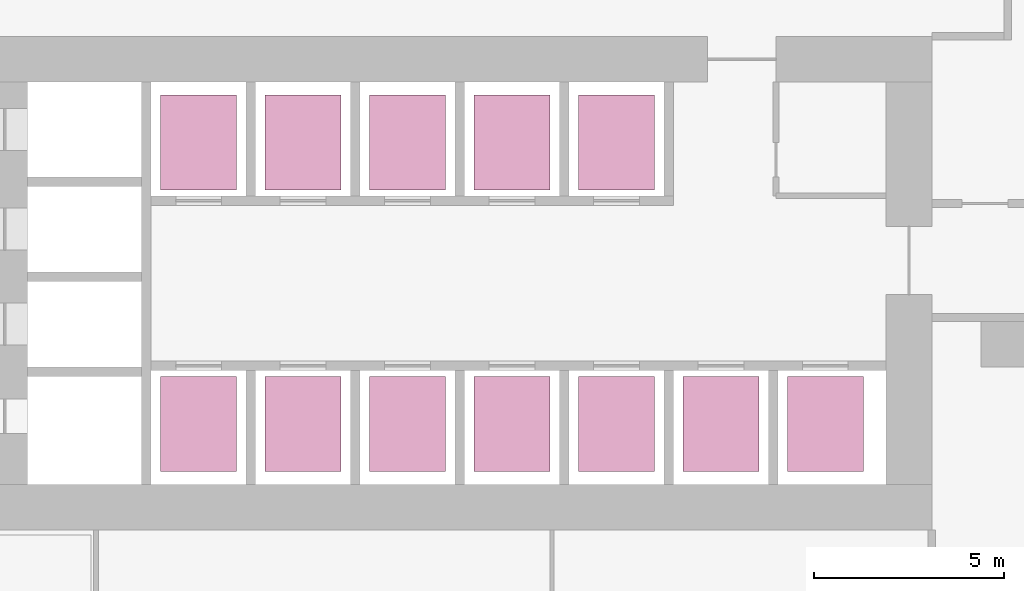
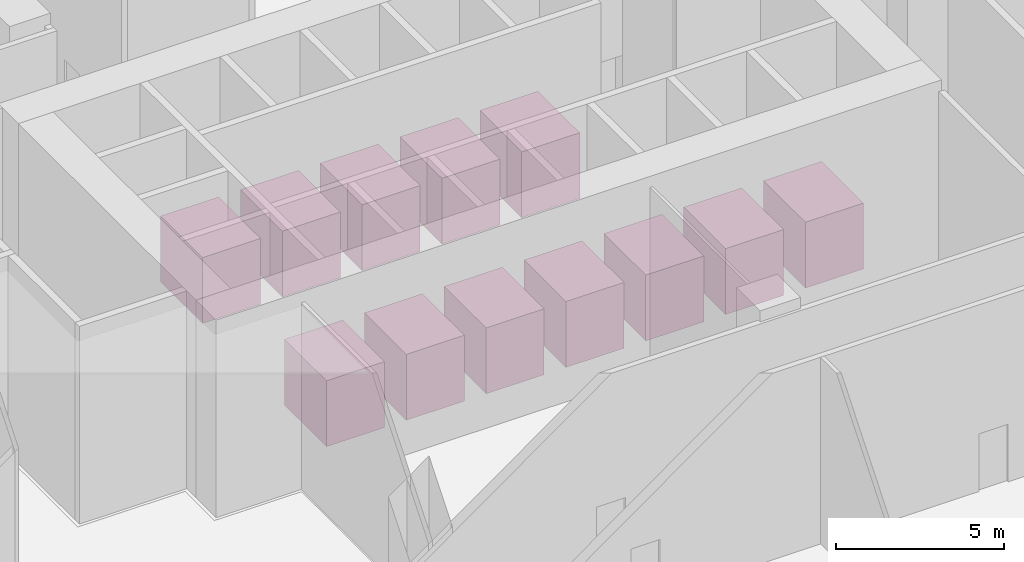
# One storey, part 34 of 34: 12 transport elements.
"""IFC4 building model written with IfcOpenShell, lengths in metres."""

from ifc_helpers import new_model, si_unit, direction, frame, origin, origin_2d, place, context, subcontext, project, spatial, rectangle, extrude, material, type_object, element, save


model = new_model("IFC4")

# Units and contexts
model_context = context("Model", 3, precision=1e-05, world=origin(), true_north=direction((0.0, 1.0)))
body_context = subcontext(model_context, "Body", "Model", "MODEL_VIEW")
ifc_project = project(units=[si_unit("LENGTHUNIT", "METRE"), si_unit("AREAUNIT", "SQUARE_METRE"), si_unit("VOLUMEUNIT", "CUBIC_METRE"), si_unit("PLANEANGLEUNIT", "RADIAN"), si_unit("MASSUNIT", "GRAM", prefix="KILO")], contexts=[model_context])

# Site, building, storey
site_placement = place(None, origin())
site = spatial("IfcSite", under=ifc_project, at=site_placement, CompositionType="ELEMENT")
building_placement = place(site_placement, origin())
building = spatial("IfcBuilding", under=site, at=building_placement, Name="Chenar Terraces", CompositionType="ELEMENT")
storey_placement = place(building_placement, origin())
storey = spatial("IfcBuildingStorey", under=building, at=storey_placement, Name="L00", CompositionType="ELEMENT", Elevation=0.0)

# Transport elements
ifc_material = material(Name="Stainless steel", Category="steel")
transport_element_type = type_object("IfcTransportElementType", Name="Passenger lift car 2000 x 2500, 2500 kg", PredefinedType="ELEVATOR", material=ifc_material)
for number, where, z_axis, x_axis, name in (
    (1, (14.699951171875, 9.800048828125, 0.0), (0.0, 0.0, 1.0), (1.0, 0.0, 0.0), "Lift L1"),
    (2, (17.449951171875, 9.800048828125, 0.0), (0.0, 0.0, 1.0), (1.0, 0.0, 0.0), "Lift L2"),
    (3, (20.199951171875, 9.800048828125, 0.0), (0.0, 0.0, 1.0), (1.0, 0.0, 0.0), "Lift L3"),
    (4, (22.949951171875, 9.800048828125, 0.0), (0.0, 0.0, 1.0), (1.0, 0.0, 0.0), "Lift L4"),
    (5, (25.699951171875, 9.800048828125, 0.0), (0.0, 0.0, 1.0), (1.0, 0.0, 0.0), "Lift M1"),
    (6, (28.449951171875, 9.800048828125, 0.0), (0.0, 0.0, 1.0), (1.0, 0.0, 0.0), "Lift M2"),
    (7, (31.199951171875, 9.800048828125, 0.0), (0.0, 0.0, 1.0), (1.0, 0.0, 0.0), "Lift M3"),
    (8, (25.699951171875, 17.199951171875, 0.0), (0.0, 0.0, 1.0), (1.0, 0.0, 0.0), "Lift M4"),
    (9, (14.699951171875, 17.199951171875, 0.0), (0.0, 0.0, 1.0), (1.0, 0.0, 0.0), "Lift H1"),
    (10, (17.449951171875, 17.199951171875, 0.0), (0.0, 0.0, 1.0), (1.0, 0.0, 0.0), "Lift H2"),
    (11, (20.199951171875, 17.199951171875, 0.0), (0.0, 0.0, 1.0), (1.0, 0.0, 0.0), "Lift H3"),
    (12, (22.949951171875, 17.199951171875, 0.0), (0.0, 0.0, 1.0), (1.0, 0.0, 0.0), "Lift H4"),
):
    element("IfcTransportElement", number, at=place(storey_placement, frame(where, z_axis=z_axis, x_axis=x_axis)), inside=storey, type_object=transport_element_type, Name=name, PredefinedType="ELEVATOR", context=body_context, shape_type="SweptSolid", body=[
        extrude(rectangle(XDim=2.0, YDim=2.5, at=origin_2d()), origin(), (0.0, 0.0, 1.0), 2.39990234375),
    ])

save(model, "model.ifc")
